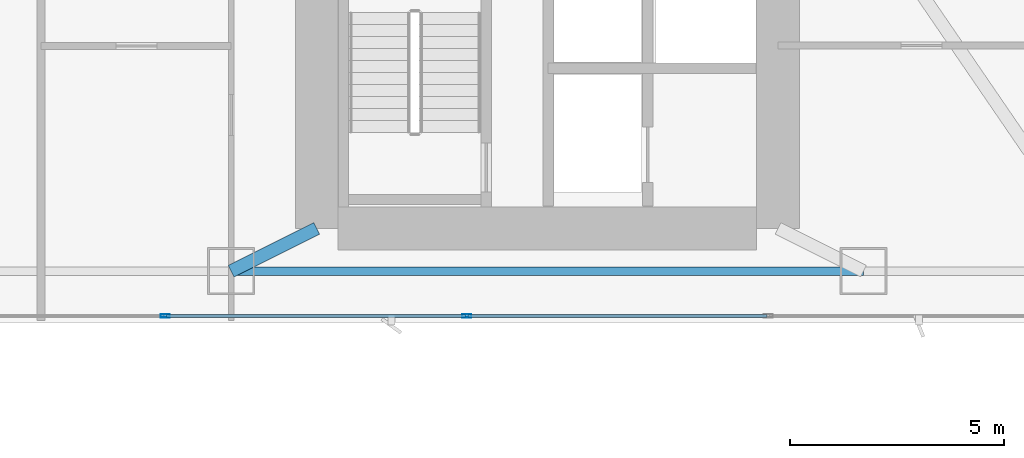
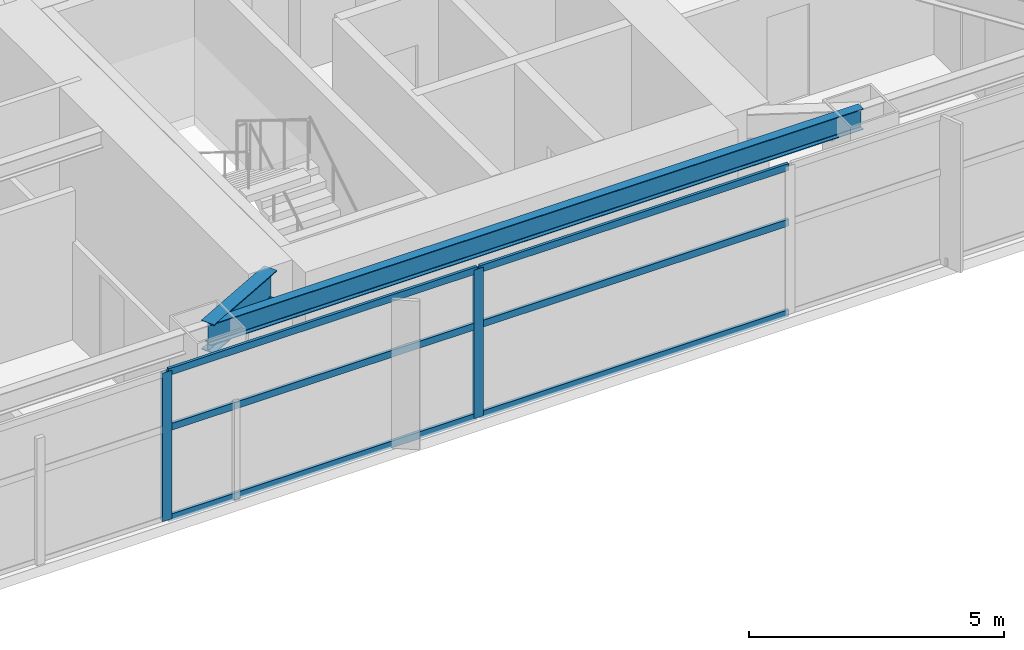
# One storey, part 6 of 29: 8 members, 2 beams, 1 element without a shape of its own.
"""IFC4 building model written with IfcOpenShell, lengths in metres."""

from ifc_helpers import new_model, si_unit, direction, frame, origin, origin_2d, place, context, subcontext, project, spatial, hollow_rectangle, i_section, extrude, material, layer, layer_set, material_profile, profile_set, type_object, element, aggregate, save


model = new_model("IFC4")

# Units and contexts
model_context = context("Model", 3, precision=1e-05, world=origin(), true_north=direction((0.0, 1.0)))
body_context = subcontext(model_context, "Body", "Model", "MODEL_VIEW")
ifc_project = project(units=[si_unit("LENGTHUNIT", "METRE"), si_unit("AREAUNIT", "SQUARE_METRE"), si_unit("VOLUMEUNIT", "CUBIC_METRE"), si_unit("PLANEANGLEUNIT", "RADIAN"), si_unit("MASSUNIT", "GRAM", prefix="KILO")], contexts=[model_context])

# Site, building, storey
site_placement = place(None, origin())
site = spatial("IfcSite", under=ifc_project, at=site_placement, CompositionType="ELEMENT")
building_placement = place(site_placement, origin())
building = spatial("IfcBuilding", under=site, at=building_placement, Name="Calvorn Quay Hotel", CompositionType="ELEMENT")
storey_placement = place(building_placement, frame((0.0, 0.0, 34.60009765625)))
storey = spatial("IfcBuildingStorey", under=building, at=storey_placement, Name="L07", CompositionType="ELEMENT", Elevation=34.60009765625)

# Beams
ifc_material_1 = material(Name="Steel Q390GJC", Category="steel")
ifc_material_profile_1 = material_profile(ifc_material_1, i_section(OverallWidth=0.300048828125, OverallDepth=0.699951171875, WebThickness=0.012939453125, FlangeThickness=0.02392578125, FilletRadius=0.02392578125, at=origin_2d()), Name="HN700x300x13x24")
ifc_profile_set_1 = profile_set([ifc_material_profile_1], Name="Steel Q390GJC")
beam_type_1 = type_object("IfcBeamType", Name="BM-GIRD-MAIN", PredefinedType="BEAM", material=ifc_profile_set_1)
beam_1_placement = place(storey_placement, frame((19.60009765625, 3.60009765625, 3.18994140625), z_axis=(0.894427191, 0.4472135955, 0.0), x_axis=(-0.4472135955, 0.894427191, 0.0)))
element("IfcBeam", 1, at=beam_1_placement, inside=storey, type_object=beam_type_1, Name="Beam BG-L07-S2", PredefinedType="BEAM", context=body_context, shape_type="SweptSolid", body=[
    extrude(i_section(OverallWidth=0.300048828125, OverallDepth=0.699951171875, WebThickness=0.012939453125, FlangeThickness=0.02392578125, FilletRadius=0.02392578125, at=origin_2d()), origin(), (0.0, 0.0, 1.0), 2.236083984375),
])
ifc_material_2 = material(Name="Steel Q355B", Category="steel")
ifc_material_profile_2 = material_profile(ifc_material_2, i_section(OverallWidth=0.199951171875, OverallDepth=0.5, WebThickness=0.010009765625, FlangeThickness=0.01611328125, FilletRadius=0.01611328125, at=origin_2d()), Name="HN500x200x10x16")
ifc_profile_set_2 = profile_set([ifc_material_profile_2], Name="Steel Q355B")
beam_type_2 = type_object("IfcBeamType", Name="BM-SPANDREL-Z1", PredefinedType="SPANDREL", material=ifc_profile_set_2)
beam_2_placement = place(storey_placement, frame((19.60009765625, 3.60009765625, 3.289794921875), z_axis=(1.0, 0.0, 0.0), x_axis=(0.0, 1.0, 0.0)))
element("IfcBeam", 2, at=beam_2_placement, inside=storey, type_object=beam_type_2, Name="Beam BSP-L07-S3", PredefinedType="SPANDREL", context=body_context, shape_type="SweptSolid", body=[
    extrude(i_section(OverallWidth=0.199951171875, OverallDepth=0.5, WebThickness=0.010009765625, FlangeThickness=0.01611328125, FilletRadius=0.01611328125, at=origin_2d()), origin(), (0.0, 0.0, 1.0), 14.7998046875),
])

# Curtain wall, members
ifc_material_3 = material(Name="Pale Anodised Aluminium and Low-E Glass", Category="aluminium")
ifc_layer = layer(ifc_material_3, 0.219970703125)
ifc_layer_set = layer_set([ifc_layer], Name="CW-SYS-Z1")
curtain_wall_type = type_object("IfcCurtainWallType", Name="CW-SYS-Z1", PredefinedType="NOTDEFINED", material=ifc_layer_set)
curtain_wall_placement = place(storey_placement, origin())
curtain_wall = element("IfcCurtainWall", 3, at=curtain_wall_placement, inside=storey, type_object=curtain_wall_type, Name="Tower South Waterfront Curtain Wall (L07)", PredefinedType="NOTDEFINED")
ifc_material_4 = material(Name="Pale Anodised Aluminium 6063-T6", Category="aluminium")
ifc_material_profile_3 = material_profile(ifc_material_4, hollow_rectangle(XDim=0.074951171875, YDim=0.219970703125, WallThickness=0.00439453125, at=origin_2d()), Name="ALU-M220x75x4.5")
ifc_profile_set_3 = profile_set([ifc_material_profile_3], Name="Pale Anodised Aluminium 6063-T6")
member_type_1 = type_object("IfcMemberType", Name="CW-SYS-Z1-MUL", PredefinedType="MULLION", material=ifc_profile_set_3)
member_1_placement = place(storey_placement, frame((18.05712890625, 2.550048828125, 0.0), z_axis=(0.0, 0.0, 1.0), x_axis=(0.0, 1.0, 0.0)))
member_1 = element("IfcMember", 4, at=member_1_placement, type_object=member_type_1, Name="CW-L07-S mullion 2", PredefinedType="MULLION", context=body_context, shape_type="SweptSolid", body=[
    extrude(hollow_rectangle(XDim=0.074951171875, YDim=0.219970703125, WallThickness=0.00439453125, at=origin_2d()), origin(), (0.0, 0.0, 1.0), 3.559814453125),
])
member_2_placement = place(storey_placement, frame((25.1142578125, 2.550048828125, 0.0), z_axis=(0.0, 0.0, 1.0), x_axis=(0.0, 1.0, 0.0)))
member_2 = element("IfcMember", 5, at=member_2_placement, type_object=member_type_1, Name="CW-L07-S mullion 3", PredefinedType="MULLION", context=body_context, shape_type="SweptSolid", body=[
    extrude(hollow_rectangle(XDim=0.074951171875, YDim=0.219970703125, WallThickness=0.00439453125, at=origin_2d()), origin(), (0.0, 0.0, 1.0), 3.559814453125),
])
ifc_material_5 = material(Name="Pale Anodised Aluminium 6063-T6", Category="aluminium")
ifc_material_profile_4 = material_profile(ifc_material_5, hollow_rectangle(XDim=0.06494140625, YDim=0.1650390625, WallThickness=0.00341796875, at=origin_2d()), Name="ALU-T165x65x3.5")
ifc_profile_set_4 = profile_set([ifc_material_profile_4], Name="Pale Anodised Aluminium 6063-T6")
member_type_2 = type_object("IfcMemberType", Name="CW-SYS-Z1-TRN", PredefinedType="USERDEFINED", material=ifc_profile_set_4)
member_3_placement = place(storey_placement, frame((18.087158203125, 2.550048828125, 0.02978515625), z_axis=(1.0, 0.0, 0.0), x_axis=(0.0, 1.0, 0.0)))
member_3 = element("IfcMember", 6, at=member_3_placement, type_object=member_type_2, Name="CW-L07-S transom 2.1", ObjectType="TRANSOM", PredefinedType="USERDEFINED", context=body_context, shape_type="SweptSolid", body=[
    extrude(hollow_rectangle(XDim=0.06494140625, YDim=0.1650390625, WallThickness=0.00341796875, at=origin_2d()), origin(), (0.0, 0.0, 1.0), 6.9970703125),
])
member_4_placement = place(storey_placement, frame((18.087158203125, 2.550048828125, 2.199951171875), z_axis=(1.0, 0.0, 0.0), x_axis=(0.0, 1.0, 0.0)))
member_4 = element("IfcMember", 7, at=member_4_placement, type_object=member_type_2, Name="CW-L07-S transom 2.2", ObjectType="TRANSOM", PredefinedType="USERDEFINED", context=body_context, shape_type="SweptSolid", body=[
    extrude(hollow_rectangle(XDim=0.06494140625, YDim=0.1650390625, WallThickness=0.00341796875, at=origin_2d()), origin(), (0.0, 0.0, 1.0), 6.9970703125),
])
member_5_placement = place(storey_placement, frame((18.087158203125, 2.550048828125, 3.52978515625), z_axis=(1.0, 0.0, 0.0), x_axis=(0.0, 1.0, 0.0)))
member_5 = element("IfcMember", 8, at=member_5_placement, type_object=member_type_2, Name="CW-L07-S transom 2.3", ObjectType="TRANSOM", PredefinedType="USERDEFINED", context=body_context, shape_type="SweptSolid", body=[
    extrude(hollow_rectangle(XDim=0.06494140625, YDim=0.1650390625, WallThickness=0.00341796875, at=origin_2d()), origin(), (0.0, 0.0, 1.0), 6.9970703125),
])
member_6_placement = place(storey_placement, frame((25.144287109375, 2.550048828125, 0.02978515625), z_axis=(1.0, 0.0, 0.0), x_axis=(0.0, 1.0, 0.0)))
member_6 = element("IfcMember", 9, at=member_6_placement, type_object=member_type_2, Name="CW-L07-S transom 3.1", ObjectType="TRANSOM", PredefinedType="USERDEFINED", context=body_context, shape_type="SweptSolid", body=[
    extrude(hollow_rectangle(XDim=0.06494140625, YDim=0.1650390625, WallThickness=0.00341796875, at=origin_2d()), origin(), (0.0, 0.0, 1.0), 6.9970703125),
])
member_7_placement = place(storey_placement, frame((25.144287109375, 2.550048828125, 2.199951171875), z_axis=(1.0, 0.0, 0.0), x_axis=(0.0, 1.0, 0.0)))
member_7 = element("IfcMember", 10, at=member_7_placement, type_object=member_type_2, Name="CW-L07-S transom 3.2", ObjectType="TRANSOM", PredefinedType="USERDEFINED", context=body_context, shape_type="SweptSolid", body=[
    extrude(hollow_rectangle(XDim=0.06494140625, YDim=0.1650390625, WallThickness=0.00341796875, at=origin_2d()), origin(), (0.0, 0.0, 1.0), 6.9970703125),
])
member_8_placement = place(storey_placement, frame((25.144287109375, 2.550048828125, 3.52978515625), z_axis=(1.0, 0.0, 0.0), x_axis=(0.0, 1.0, 0.0)))
member_8 = element("IfcMember", 11, at=member_8_placement, type_object=member_type_2, Name="CW-L07-S transom 3.3", ObjectType="TRANSOM", PredefinedType="USERDEFINED", context=body_context, shape_type="SweptSolid", body=[
    extrude(hollow_rectangle(XDim=0.06494140625, YDim=0.1650390625, WallThickness=0.00341796875, at=origin_2d()), origin(), (0.0, 0.0, 1.0), 6.9970703125),
])
aggregate(curtain_wall, [member_1, member_2, member_3, member_4, member_5, member_6, member_7, member_8])

save(model, "model.ifc")
